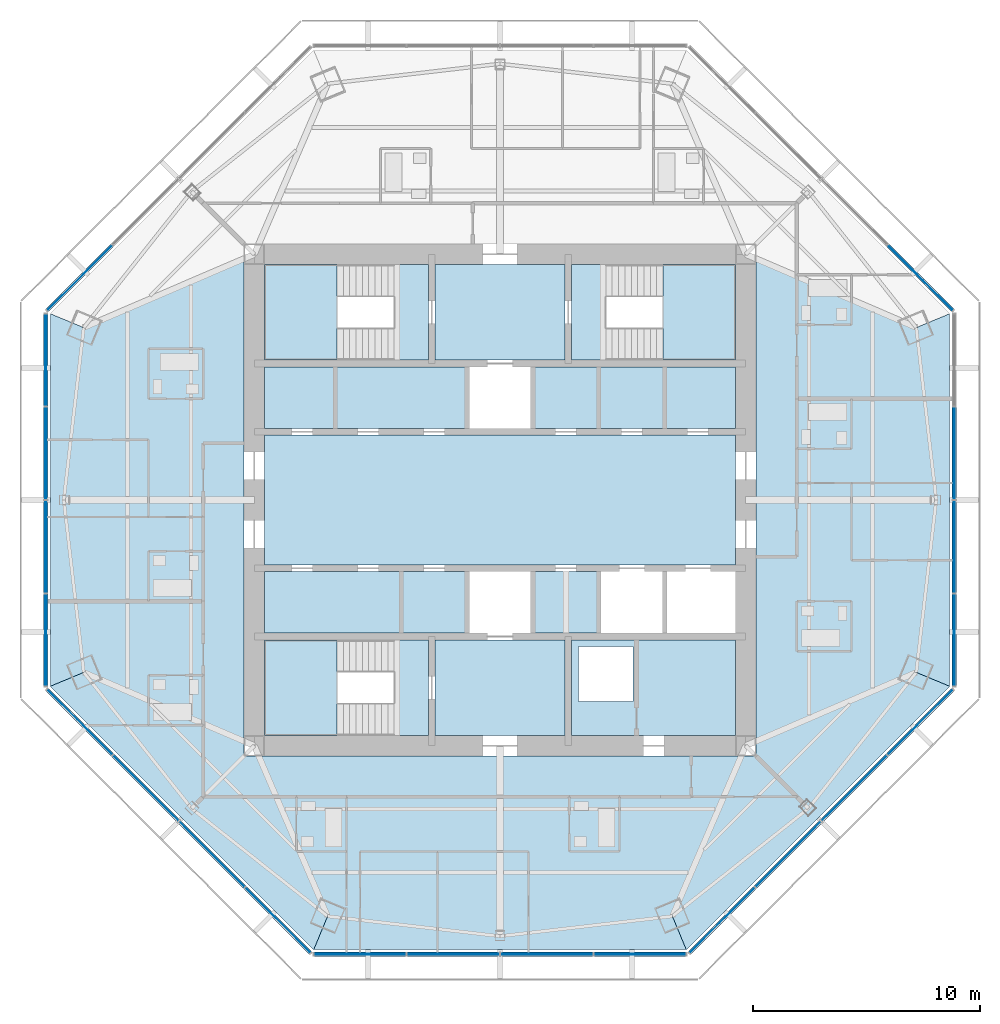
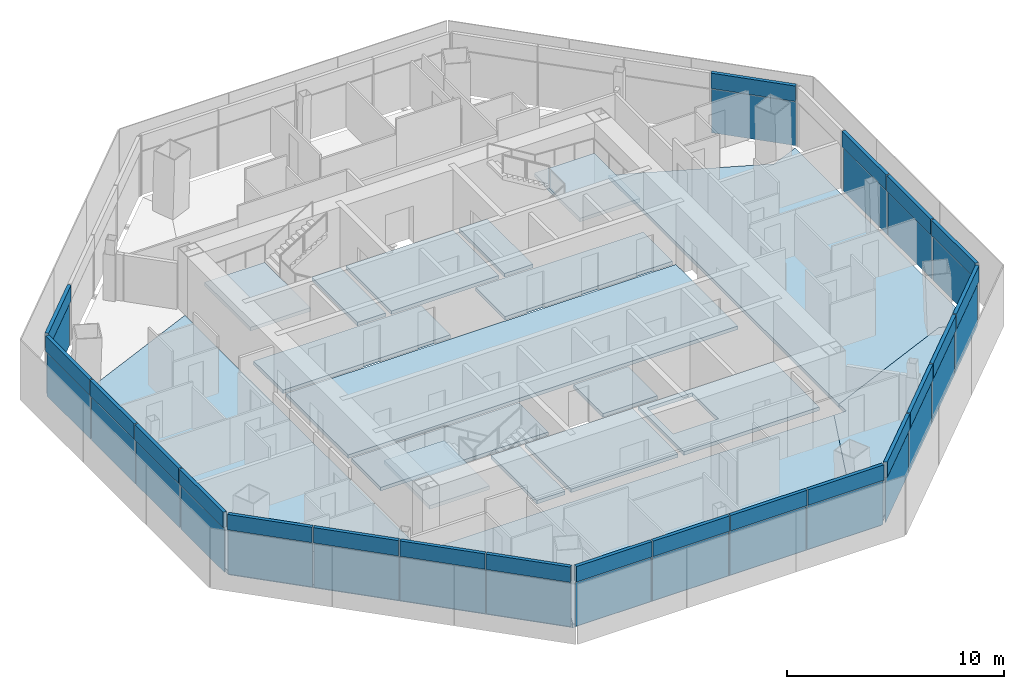
# One storey, part 7 of 14: 42 plates, 19 slabs, 10 elements without a shape of their own.
"""IFC4 building model written with IfcOpenShell, lengths in metres."""

from ifc_helpers import new_model, si_unit, direction, frame, origin, origin_2d, place, context, subcontext, project, spatial, polyline, rectangle, outline, extrude, source, transform, mapped, material, layer, layer_set, type_object, type_shapes, element, aggregate, save


model = new_model("IFC4")

# Units and contexts
model_context = context("Model", 3, precision=1e-05, world=origin(), true_north=direction((0.0, 1.0)))
body_context = subcontext(model_context, "Body", "Model", "MODEL_VIEW")
ifc_project = project(units=[si_unit("LENGTHUNIT", "METRE"), si_unit("AREAUNIT", "SQUARE_METRE"), si_unit("VOLUMEUNIT", "CUBIC_METRE"), si_unit("PLANEANGLEUNIT", "RADIAN"), si_unit("MASSUNIT", "GRAM", prefix="KILO")], contexts=[model_context])

# Site, building, storey
site_placement = place(None, origin())
site = spatial("IfcSite", under=ifc_project, at=site_placement, CompositionType="ELEMENT")
building_placement = place(site_placement, origin())
building = spatial("IfcBuilding", under=site, at=building_placement, Name="Mashrafa Tower", CompositionType="ELEMENT")
storey_placement = place(building_placement, frame((0.0, 0.0, 284.39990234375)))
storey = spatial("IfcBuildingStorey", under=building, at=storey_placement, Name="L69", CompositionType="ELEMENT", Elevation=284.39990234375)

# Slabs
ifc_material_1 = material(Name="Concrete C35/45", Category="concrete")
ifc_layer_1 = layer(ifc_material_1, 0.199951171875)
ifc_layer_set_1 = layer_set([ifc_layer_1], Name="Floor slab 200")
slab_type_1 = type_object("IfcSlabType", Name="Floor slab 200", PredefinedType="FLOOR", material=ifc_layer_set_1)
slab_1_placement = place(storey_placement, frame((0.0, 0.0, -0.199951171875)))
element("IfcSlab", 1, at=slab_1_placement, inside=storey, type_object=slab_type_1, Name="Floor slab L69 east bay", PredefinedType="FLOOR", context=body_context, shape_type="SweptSolid", body=[
    extrude(outline(polyline([(19.76953125, -8.188720703125), (18.296875, -7.578857421875), (11.25, -10.606689453125), (11.25, 10.606689453125), (18.296875, 7.578857421875), (19.76953125, 8.188720703125), (19.76953125, -8.188720703125)])), origin(), (0.0, 0.0, 1.0), 0.199951171875),
])
slab_2_placement = place(storey_placement, frame((0.0, 0.0, -0.199951171875)))
element("IfcSlab", 2, at=slab_2_placement, inside=storey, type_object=slab_type_1, Name="Floor slab L69 west bay", PredefinedType="FLOOR", context=body_context, shape_type="SweptSolid", body=[
    extrude(outline(polyline([(-19.76953125, 8.188720703125), (-18.296875, 7.578857421875), (-11.25, 10.606689453125), (-11.25, -10.606689453125), (-18.296875, -7.578857421875), (-19.76953125, -8.188720703125), (-19.76953125, 8.188720703125)])), origin(), (0.0, 0.0, 1.0), 0.199951171875),
])
slab_3_placement = place(storey_placement, frame((0.0, 0.0, -0.199951171875)))
element("IfcSlab", 3, at=slab_3_placement, inside=storey, type_object=slab_type_1, Name="Floor slab L69 south-west bay", PredefinedType="FLOOR", context=body_context, shape_type="SweptSolid", body=[
    extrude(outline(polyline([(-8.188720703125, -19.76953125), (-19.76953125, -8.188720703125), (-19.76953125, -8.188720703125), (-18.296875, -7.578857421875), (-11.25, -10.606689453125), (-11.25, -11.25), (-10.606689453125, -11.25), (-7.578857421875, -18.296875), (-8.188720703125, -19.76953125), (-8.188720703125, -19.76953125)])), origin(), (0.0, 0.0, 1.0), 0.199951171875),
])
slab_4_placement = place(storey_placement, frame((0.0, 0.0, -0.199951171875)))
element("IfcSlab", 4, at=slab_4_placement, inside=storey, type_object=slab_type_1, Name="Floor slab L69 south bay", PredefinedType="FLOOR", context=body_context, shape_type="SweptSolid", body=[
    extrude(outline(polyline([(-8.188720703125, -19.76953125), (-7.578857421875, -18.296875), (-10.606689453125, -11.25), (10.606689453125, -11.25), (7.578857421875, -18.296875), (8.188720703125, -19.76953125), (-8.188720703125, -19.76953125)])), origin(), (0.0, 0.0, 1.0), 0.199951171875),
])
slab_5_placement = place(storey_placement, frame((0.0, 0.0, -0.199951171875)))
element("IfcSlab", 5, at=slab_5_placement, inside=storey, type_object=slab_type_1, Name="Floor slab L69 south-east bay", PredefinedType="FLOOR", context=body_context, shape_type="SweptSolid", body=[
    extrude(outline(polyline([(8.188720703125, -19.76953125), (7.578857421875, -18.296875), (10.606689453125, -11.25), (11.25, -11.25), (11.25, -10.606689453125), (18.296875, -7.578857421875), (19.76953125, -8.188720703125), (19.76953125, -8.188720703125), (8.188720703125, -19.76953125), (8.188720703125, -19.76953125)])), origin(), (0.0, 0.0, 1.0), 0.199951171875),
])
slab_6_placement = place(storey_placement, frame((0.0, 0.0, -0.199951171875)))
element("IfcSlab", 6, at=slab_6_placement, inside=storey, type_object=slab_type_1, Name="Core floor lift hall L69", PredefinedType="FLOOR", context=body_context, shape_type="SweptSolid", body=[
    extrude(outline(polyline([(-10.35009765625, 2.85009765625), (10.35009765625, 2.85009765625), (10.35009765625, -2.85009765625), (-10.35009765625, -2.85009765625), (-10.35009765625, 2.85009765625)])), origin(), (0.0, 0.0, 1.0), 0.199951171875),
])
slab_7_placement = place(storey_placement, frame((0.0, 0.0, -0.199951171875)))
element("IfcSlab", 7, at=slab_7_placement, inside=storey, type_object=slab_type_1, Name="Core floor riser and electrical band L69", PredefinedType="FLOOR", context=body_context, shape_type="SweptSolid", body=[
    extrude(outline(polyline([(10.35009765625, -6.14990234375), (10.35009765625, -10.35009765625), (3.14990234375, -10.35009765625), (3.14990234375, -6.14990234375), (10.35009765625, -6.14990234375)]), holes=[polyline([(3.449951171875, -8.85009765625), (5.85009765625, -8.85009765625), (5.85009765625, -6.449951171875), (3.449951171875, -6.449951171875), (3.449951171875, -8.85009765625)])]), origin(), (0.0, 0.0, 1.0), 0.199951171875),
])
slab_8_placement = place(storey_placement, frame((0.0, 0.0, -0.199951171875)))
element("IfcSlab", 8, at=slab_8_placement, inside=storey, type_object=slab_type_1, Name="Core floor lift cell L69", PredefinedType="FLOOR", context=body_context, shape_type="SweptSolid", body=[
    extrude(outline(polyline([(10.35009765625, 5.85009765625), (10.35009765625, 3.14990234375), (1.449951171875, 3.14990234375), (1.449951171875, 5.85009765625), (10.35009765625, 5.85009765625)])), origin(), (0.0, 0.0, 1.0), 0.199951171875),
])
slab_9_placement = place(storey_placement, frame((0.0, 0.0, -0.199951171875)))
element("IfcSlab", 9, at=slab_9_placement, inside=storey, type_object=slab_type_1, Name="Core floor lift cell L69", PredefinedType="FLOOR", context=body_context, shape_type="SweptSolid", body=[
    extrude(outline(polyline([(-1.449951171875, 3.14990234375), (-10.35009765625, 3.14990234375), (-10.35009765625, 5.85009765625), (-1.449951171875, 5.85009765625), (-1.449951171875, 3.14990234375)])), origin(), (0.0, 0.0, 1.0), 0.199951171875),
])
slab_10_placement = place(storey_placement, frame((0.0, 0.0, -0.199951171875)))
element("IfcSlab", 10, at=slab_10_placement, inside=storey, type_object=slab_type_1, Name="Core floor lift cell L69", PredefinedType="FLOOR", context=body_context, shape_type="SweptSolid", body=[
    extrude(outline(polyline([(-1.449951171875, -3.14990234375), (-1.449951171875, -5.85009765625), (-10.35009765625, -5.85009765625), (-10.35009765625, -3.14990234375), (-1.449951171875, -3.14990234375)])), origin(), (0.0, 0.0, 1.0), 0.199951171875),
])
slab_11_placement = place(storey_placement, frame((0.0, 0.0, -0.199951171875)))
element("IfcSlab", 11, at=slab_11_placement, inside=storey, type_object=slab_type_1, Name="Core floor fire-fighting lobby south L69", PredefinedType="FLOOR", context=body_context, shape_type="SweptSolid", body=[
    extrude(outline(polyline([(2.85009765625, -6.14990234375), (2.85009765625, -10.35009765625), (-2.85009765625, -10.35009765625), (-2.85009765625, -6.14990234375), (2.85009765625, -6.14990234375)])), origin(), (0.0, 0.0, 1.0), 0.199951171875),
])
slab_12_placement = place(storey_placement, frame((0.0, 0.0, -0.199951171875)))
element("IfcSlab", 12, at=slab_12_placement, inside=storey, type_object=slab_type_1, Name="Core floor fire-fighting lobby north L69", PredefinedType="FLOOR", context=body_context, shape_type="SweptSolid", body=[
    extrude(outline(polyline([(-2.85009765625, 10.35009765625), (2.85009765625, 10.35009765625), (2.85009765625, 6.14990234375), (-2.85009765625, 6.14990234375), (-2.85009765625, 10.35009765625)])), origin(), (0.0, 0.0, 1.0), 0.199951171875),
])
slab_13_placement = place(storey_placement, frame((0.0, 0.0, -0.199951171875)))
element("IfcSlab", 13, at=slab_13_placement, inside=storey, type_object=slab_type_1, Name="Core floor lift cell L69", PredefinedType="FLOOR", context=body_context, shape_type="SweptSolid", body=[
    extrude(outline(polyline([(4.35009765625, -3.14990234375), (4.35009765625, -5.85009765625), (1.449951171875, -5.85009765625), (1.449951171875, -3.14990234375), (4.35009765625, -3.14990234375)])), origin(), (0.0, 0.0, 1.0), 0.199951171875),
])

# Stair, slabs
ifc_material_2 = material(Name="Exit stair 1400")
stair_type = type_object("IfcStairType", Name="Exit stair 1400", PredefinedType="HALF_TURN_STAIR", material=ifc_material_2)
stair_1_placement = place(storey_placement, origin())
stair_1 = element("IfcStair", 14, at=stair_1_placement, inside=storey, type_object=stair_type, Name="Stair S1 L69", PredefinedType="HALF_TURN_STAIR")
ifc_material_3 = material(Name="Concrete C32/40", Category="concrete")
ifc_layer_2 = layer(ifc_material_3, 0.199951171875)
ifc_layer_set_2 = layer_set([ifc_layer_2], Name="Stair landing 200")
slab_type_2 = type_object("IfcSlabType", Name="Stair landing 200", PredefinedType="LANDING", material=ifc_layer_set_2)
slab_14_placement = place(storey_placement, frame((0.0, 0.0, -0.199951171875)))
slab_14 = element("IfcSlab", 15, at=slab_14_placement, type_object=slab_type_2, Name="S1 landing 1", PredefinedType="LANDING", context=body_context, shape_type="SweptSolid", body=[
    extrude(outline(polyline([(-4.659912109375, 6.14990234375), (-3.14990234375, 6.14990234375), (-3.14990234375, 10.35009765625), (-4.659912109375, 10.35009765625), (-4.659912109375, 6.14990234375)])), origin(), (0.0, 0.0, 1.0), 0.199951171875),
])
slab_15_placement = place(storey_placement, frame((0.0, 0.0, 1.5)))
slab_15 = element("IfcSlab", 16, at=slab_15_placement, type_object=slab_type_2, Name="S1 landing 2", PredefinedType="LANDING", context=body_context, shape_type="SweptSolid", body=[
    extrude(outline(polyline([(-10.35009765625, 6.14990234375), (-7.159912109375, 6.14990234375), (-7.159912109375, 10.35009765625), (-10.35009765625, 10.35009765625), (-10.35009765625, 6.14990234375)])), origin(), (0.0, 0.0, 1.0), 0.2001953125),
])
aggregate(stair_1, [slab_14, slab_15])

stair_2_placement = place(storey_placement, origin())
stair_2 = element("IfcStair", 17, at=stair_2_placement, inside=storey, type_object=stair_type, Name="Stair S2 L69", PredefinedType="HALF_TURN_STAIR")
slab_16_placement = place(storey_placement, frame((0.0, 0.0, -0.199951171875)))
slab_16 = element("IfcSlab", 18, at=slab_16_placement, type_object=slab_type_2, Name="S2 landing 1", PredefinedType="LANDING", context=body_context, shape_type="SweptSolid", body=[
    extrude(outline(polyline([(3.14990234375, 6.14990234375), (4.659912109375, 6.14990234375), (4.659912109375, 10.35009765625), (3.14990234375, 10.35009765625), (3.14990234375, 6.14990234375)])), origin(), (0.0, 0.0, 1.0), 0.199951171875),
])
slab_17_placement = place(storey_placement, frame((0.0, 0.0, 1.5)))
slab_17 = element("IfcSlab", 19, at=slab_17_placement, type_object=slab_type_2, Name="S2 landing 2", PredefinedType="LANDING", context=body_context, shape_type="SweptSolid", body=[
    extrude(outline(polyline([(7.159912109375, 6.14990234375), (10.35009765625, 6.14990234375), (10.35009765625, 10.35009765625), (7.159912109375, 10.35009765625), (7.159912109375, 6.14990234375)])), origin(), (0.0, 0.0, 1.0), 0.2001953125),
])
aggregate(stair_2, [slab_16, slab_17])

stair_3_placement = place(storey_placement, origin())
stair_3 = element("IfcStair", 20, at=stair_3_placement, inside=storey, type_object=stair_type, Name="Stair S3 L69", PredefinedType="HALF_TURN_STAIR")
slab_18_placement = place(storey_placement, frame((0.0, 0.0, -0.199951171875)))
slab_18 = element("IfcSlab", 21, at=slab_18_placement, type_object=slab_type_2, Name="S3 landing 1", PredefinedType="LANDING", context=body_context, shape_type="SweptSolid", body=[
    extrude(outline(polyline([(-4.659912109375, -10.35009765625), (-3.14990234375, -10.35009765625), (-3.14990234375, -6.14990234375), (-4.659912109375, -6.14990234375), (-4.659912109375, -10.35009765625)])), origin(), (0.0, 0.0, 1.0), 0.199951171875),
])
slab_19_placement = place(storey_placement, frame((0.0, 0.0, 1.5)))
slab_19 = element("IfcSlab", 22, at=slab_19_placement, type_object=slab_type_2, Name="S3 landing 2", PredefinedType="LANDING", context=body_context, shape_type="SweptSolid", body=[
    extrude(outline(polyline([(-10.35009765625, -10.35009765625), (-7.159912109375, -10.35009765625), (-7.159912109375, -6.14990234375), (-10.35009765625, -6.14990234375), (-10.35009765625, -10.35009765625)])), origin(), (0.0, 0.0, 1.0), 0.2001953125),
])
aggregate(stair_3, [slab_18, slab_19])

# Curtain wall, plate
ifc_material_4 = material(Name="Unitised aluminium curtain wall", Category="aluminium")
curtain_wall_type = type_object("IfcCurtainWallType", Name="Apartment curtain wall, zone 4 CW-D 160 deep", PredefinedType="NOTDEFINED", material=ifc_material_4)
curtain_wall_1_placement = place(storey_placement, origin())
curtain_wall_1 = element("IfcCurtainWall", 23, at=curtain_wall_1_placement, inside=storey, type_object=curtain_wall_type, Name="Apartment curtain wall, zone 4 L69 east", PredefinedType="NOTDEFINED")
ifc_material_5 = material(Name="Insulated double glazing, acoustic", Category="glass")
ifc_layer_3 = layer(ifc_material_5, 0.028076171875)
ifc_layer_set_3 = layer_set([ifc_layer_3], Name="Vision panel CW-D 28")
plate_type_1 = type_object("IfcPlateType", Name="Vision panel CW-D 28", PredefinedType="CURTAIN_PANEL", material=ifc_layer_set_3)
shared_shape_1 = source(origin(), body_context, "Body", "SweptSolid", [
    extrude(rectangle(XDim=4.024169921875, YDim=0.028076171875, at=origin_2d()), origin(), (0.0, 0.0, 1.0), 2.46240234375),
])
plate_1_placement = place(storey_placement, frame((19.969482421875, -6.15625, 0.000244140625), z_axis=(0.0, 0.0, 1.0), x_axis=(0.0, 1.0, 0.0)))
plate_1 = element("IfcPlate", 24, at=plate_1_placement, type_object=plate_type_1, Name="CW-D vision panel 1", PredefinedType="CURTAIN_PANEL", context=body_context, shape_type="MappedRepresentation", body=[
    mapped(shared_shape_1, transform((0.0, 0.0, 0.0))),
])

curtain_wall_2_placement = place(storey_placement, origin())
curtain_wall_2 = element("IfcCurtainWall", 25, at=curtain_wall_2_placement, inside=storey, type_object=curtain_wall_type, Name="Apartment curtain wall, zone 4 L69 north-east", PredefinedType="NOTDEFINED")
plate_2_placement = place(storey_placement, frame((18.4736328125, 9.767333984375, 0.000244140625), z_axis=(0.0, 0.0, 1.0), x_axis=(-0.707106781187, 0.707106781187, 0.0)))
plate_2 = element("IfcPlate", 26, at=plate_2_placement, type_object=plate_type_1, Name="CW-D vision panel 1", PredefinedType="CURTAIN_PANEL", context=body_context, shape_type="MappedRepresentation", body=[
    mapped(shared_shape_1, transform((0.0, 0.0, 0.0))),
])

curtain_wall_3_placement = place(storey_placement, origin())
curtain_wall_3 = element("IfcCurtainWall", 27, at=curtain_wall_3_placement, inside=storey, type_object=curtain_wall_type, Name="Apartment curtain wall, zone 4 L69 north-west", PredefinedType="NOTDEFINED")
plate_3_placement = place(storey_placement, frame((-18.4736328125, 9.767333984375, 0.000244140625), z_axis=(0.0, 0.0, 1.0), x_axis=(-0.707106781187, -0.707106781187, 0.0)))
plate_3 = element("IfcPlate", 28, at=plate_3_placement, type_object=plate_type_1, Name="CW-D vision panel 4", PredefinedType="CURTAIN_PANEL", context=body_context, shape_type="MappedRepresentation", body=[
    mapped(shared_shape_1, transform((0.0, 0.0, 0.0))),
])

# Curtain wall, plates
curtain_wall_4_placement = place(storey_placement, origin())
curtain_wall_4 = element("IfcCurtainWall", 29, at=curtain_wall_4_placement, inside=storey, type_object=curtain_wall_type, Name="Apartment curtain wall, zone 4 L69 west", PredefinedType="NOTDEFINED")
plate_4_placement = place(storey_placement, frame((-19.969482421875, 6.15625, 0.000244140625), z_axis=(0.0, 0.0, 1.0), x_axis=(0.0, -1.0, 0.0)))
plate_4 = element("IfcPlate", 30, at=plate_4_placement, type_object=plate_type_1, Name="CW-D vision panel 1", PredefinedType="CURTAIN_PANEL", context=body_context, shape_type="MappedRepresentation", body=[
    mapped(shared_shape_1, transform((0.0, 0.0, 0.0))),
])
plate_5_placement = place(storey_placement, frame((-19.969482421875, -6.15625, 0.000244140625), z_axis=(0.0, 0.0, 1.0), x_axis=(0.0, -1.0, 0.0)))
plate_5 = element("IfcPlate", 31, at=plate_5_placement, type_object=plate_type_1, Name="CW-D vision panel 4", PredefinedType="CURTAIN_PANEL", context=body_context, shape_type="MappedRepresentation", body=[
    mapped(shared_shape_1, transform((0.0, 0.0, 0.0))),
])

curtain_wall_5_placement = place(storey_placement, origin())
curtain_wall_5 = element("IfcCurtainWall", 32, at=curtain_wall_5_placement, inside=storey, type_object=curtain_wall_type, Name="Apartment curtain wall, zone 4 L69 south-west", PredefinedType="NOTDEFINED")
plate_6_placement = place(storey_placement, frame((-18.4736328125, -9.767333984375, 0.000244140625), z_axis=(0.0, 0.0, 1.0), x_axis=(0.707106781187, -0.707106781187, 0.0)))
plate_6 = element("IfcPlate", 33, at=plate_6_placement, type_object=plate_type_1, Name="CW-D vision panel 1", PredefinedType="CURTAIN_PANEL", context=body_context, shape_type="MappedRepresentation", body=[
    mapped(shared_shape_1, transform((0.0, 0.0, 0.0))),
])
plate_7_placement = place(storey_placement, frame((-9.767333984375, -18.4736328125, 0.000244140625), z_axis=(0.0, 0.0, 1.0), x_axis=(0.707106781187, -0.707106781187, 0.0)))
plate_7 = element("IfcPlate", 34, at=plate_7_placement, type_object=plate_type_1, Name="CW-D vision panel 4", PredefinedType="CURTAIN_PANEL", context=body_context, shape_type="MappedRepresentation", body=[
    mapped(shared_shape_1, transform((0.0, 0.0, 0.0))),
])

curtain_wall_6_placement = place(storey_placement, origin())
curtain_wall_6 = element("IfcCurtainWall", 35, at=curtain_wall_6_placement, inside=storey, type_object=curtain_wall_type, Name="Apartment curtain wall, zone 4 L69 south", PredefinedType="NOTDEFINED")
plate_8_placement = place(storey_placement, frame((-6.15625, -19.969482421875, 0.000244140625), z_axis=(0.0, 0.0, 1.0), x_axis=(1.0, 0.0, 0.0)))
plate_8 = element("IfcPlate", 36, at=plate_8_placement, type_object=plate_type_1, Name="CW-D vision panel 1", PredefinedType="CURTAIN_PANEL", context=body_context, shape_type="MappedRepresentation", body=[
    mapped(shared_shape_1, transform((0.0, 0.0, 0.0))),
])
plate_9_placement = place(storey_placement, frame((6.15625, -19.969482421875, 0.000244140625), z_axis=(0.0, 0.0, 1.0), x_axis=(1.0, 0.0, 0.0)))
plate_9 = element("IfcPlate", 37, at=plate_9_placement, type_object=plate_type_1, Name="CW-D vision panel 4", PredefinedType="CURTAIN_PANEL", context=body_context, shape_type="MappedRepresentation", body=[
    mapped(shared_shape_1, transform((0.0, 0.0, 0.0))),
])

curtain_wall_7_placement = place(storey_placement, origin())
curtain_wall_7 = element("IfcCurtainWall", 38, at=curtain_wall_7_placement, inside=storey, type_object=curtain_wall_type, Name="Apartment curtain wall, zone 4 L69 south-east", PredefinedType="NOTDEFINED")
plate_10_placement = place(storey_placement, frame((9.767333984375, -18.4736328125, 0.000244140625), z_axis=(0.0, 0.0, 1.0), x_axis=(0.707106781187, 0.707106781187, 0.0)))
plate_10 = element("IfcPlate", 39, at=plate_10_placement, type_object=plate_type_1, Name="CW-D vision panel 1", PredefinedType="CURTAIN_PANEL", context=body_context, shape_type="MappedRepresentation", body=[
    mapped(shared_shape_1, transform((0.0, 0.0, 0.0))),
])
plate_11_placement = place(storey_placement, frame((18.4736328125, -9.767333984375, 0.000244140625), z_axis=(0.0, 0.0, 1.0), x_axis=(0.707106781187, 0.707106781187, 0.0)))
plate_11 = element("IfcPlate", 40, at=plate_11_placement, type_object=plate_type_1, Name="CW-D vision panel 4", PredefinedType="CURTAIN_PANEL", context=body_context, shape_type="MappedRepresentation", body=[
    mapped(shared_shape_1, transform((0.0, 0.0, 0.0))),
])

# Plate
ifc_material_6 = material(Name="Insulated bronze aluminium spandrel panel", Category="aluminium")
ifc_layer_4 = layer(ifc_material_6, 0.179931640625)
ifc_layer_set_4 = layer_set([ifc_layer_4], Name="Spandrel panel CW-D 180")
plate_type_2 = type_object("IfcPlateType", Name="Spandrel panel CW-D 180", PredefinedType="CURTAIN_PANEL", material=ifc_layer_set_4)
shared_shape_2 = source(origin(), body_context, "Body", "SweptSolid", [
    extrude(rectangle(XDim=4.024169921875, YDim=0.179931640625, at=origin_2d()), origin(), (0.0, 0.0, 1.0), 0.862548828125),
])
plate_12_placement = place(storey_placement, frame((19.969482421875, -6.15625, 2.53759765625), z_axis=(0.0, 0.0, 1.0), x_axis=(0.0, 1.0, 0.0)))
plate_12 = element("IfcPlate", 41, at=plate_12_placement, type_object=plate_type_2, Name="CW-D spandrel panel 1", PredefinedType="CURTAIN_PANEL", context=body_context, shape_type="MappedRepresentation", body=[
    mapped(shared_shape_2, transform((0.0, 0.0, 0.0))),
])

plate_13_placement = place(storey_placement, frame((18.4736328125, 9.767333984375, 2.53759765625), z_axis=(0.0, 0.0, 1.0), x_axis=(-0.707106781187, 0.707106781187, 0.0)))
plate_13 = element("IfcPlate", 42, at=plate_13_placement, type_object=plate_type_2, Name="CW-D spandrel panel 1", PredefinedType="CURTAIN_PANEL", context=body_context, shape_type="MappedRepresentation", body=[
    mapped(shared_shape_2, transform((0.0, 0.0, 0.0))),
])

aggregate(curtain_wall_2, [plate_2, plate_13])

plate_14_placement = place(storey_placement, frame((-18.4736328125, 9.767333984375, 2.53759765625), z_axis=(0.0, 0.0, 1.0), x_axis=(-0.707106781187, -0.707106781187, 0.0)))
plate_14 = element("IfcPlate", 43, at=plate_14_placement, type_object=plate_type_2, Name="CW-D spandrel panel 4", PredefinedType="CURTAIN_PANEL", context=body_context, shape_type="MappedRepresentation", body=[
    mapped(shared_shape_2, transform((0.0, 0.0, 0.0))),
])

aggregate(curtain_wall_3, [plate_3, plate_14])

plate_15_placement = place(storey_placement, frame((-19.969482421875, 6.15625, 2.53759765625), z_axis=(0.0, 0.0, 1.0), x_axis=(0.0, -1.0, 0.0)))
plate_15 = element("IfcPlate", 44, at=plate_15_placement, type_object=plate_type_2, Name="CW-D spandrel panel 1", PredefinedType="CURTAIN_PANEL", context=body_context, shape_type="MappedRepresentation", body=[
    mapped(shared_shape_2, transform((0.0, 0.0, 0.0))),
])

plate_16_placement = place(storey_placement, frame((-19.969482421875, -6.15625, 2.53759765625), z_axis=(0.0, 0.0, 1.0), x_axis=(0.0, -1.0, 0.0)))
plate_16 = element("IfcPlate", 45, at=plate_16_placement, type_object=plate_type_2, Name="CW-D spandrel panel 4", PredefinedType="CURTAIN_PANEL", context=body_context, shape_type="MappedRepresentation", body=[
    mapped(shared_shape_2, transform((0.0, 0.0, 0.0))),
])

plate_17_placement = place(storey_placement, frame((-18.4736328125, -9.767333984375, 2.53759765625), z_axis=(0.0, 0.0, 1.0), x_axis=(0.707106781187, -0.707106781187, 0.0)))
plate_17 = element("IfcPlate", 46, at=plate_17_placement, type_object=plate_type_2, Name="CW-D spandrel panel 1", PredefinedType="CURTAIN_PANEL", context=body_context, shape_type="MappedRepresentation", body=[
    mapped(shared_shape_2, transform((0.0, 0.0, 0.0))),
])

plate_18_placement = place(storey_placement, frame((-9.767333984375, -18.4736328125, 2.53759765625), z_axis=(0.0, 0.0, 1.0), x_axis=(0.707106781187, -0.707106781187, 0.0)))
plate_18 = element("IfcPlate", 47, at=plate_18_placement, type_object=plate_type_2, Name="CW-D spandrel panel 4", PredefinedType="CURTAIN_PANEL", context=body_context, shape_type="MappedRepresentation", body=[
    mapped(shared_shape_2, transform((0.0, 0.0, 0.0))),
])

plate_19_placement = place(storey_placement, frame((-6.15625, -19.969482421875, 2.53759765625), z_axis=(0.0, 0.0, 1.0), x_axis=(1.0, 0.0, 0.0)))
plate_19 = element("IfcPlate", 48, at=plate_19_placement, type_object=plate_type_2, Name="CW-D spandrel panel 1", PredefinedType="CURTAIN_PANEL", context=body_context, shape_type="MappedRepresentation", body=[
    mapped(shared_shape_2, transform((0.0, 0.0, 0.0))),
])

plate_20_placement = place(storey_placement, frame((6.15625, -19.969482421875, 2.53759765625), z_axis=(0.0, 0.0, 1.0), x_axis=(1.0, 0.0, 0.0)))
plate_20 = element("IfcPlate", 49, at=plate_20_placement, type_object=plate_type_2, Name="CW-D spandrel panel 4", PredefinedType="CURTAIN_PANEL", context=body_context, shape_type="MappedRepresentation", body=[
    mapped(shared_shape_2, transform((0.0, 0.0, 0.0))),
])

plate_21_placement = place(storey_placement, frame((9.767333984375, -18.4736328125, 2.53759765625), z_axis=(0.0, 0.0, 1.0), x_axis=(0.707106781187, 0.707106781187, 0.0)))
plate_21 = element("IfcPlate", 50, at=plate_21_placement, type_object=plate_type_2, Name="CW-D spandrel panel 1", PredefinedType="CURTAIN_PANEL", context=body_context, shape_type="MappedRepresentation", body=[
    mapped(shared_shape_2, transform((0.0, 0.0, 0.0))),
])

plate_22_placement = place(storey_placement, frame((18.4736328125, -9.767333984375, 2.53759765625), z_axis=(0.0, 0.0, 1.0), x_axis=(0.707106781187, 0.707106781187, 0.0)))
plate_22 = element("IfcPlate", 51, at=plate_22_placement, type_object=plate_type_2, Name="CW-D spandrel panel 4", PredefinedType="CURTAIN_PANEL", context=body_context, shape_type="MappedRepresentation", body=[
    mapped(shared_shape_2, transform((0.0, 0.0, 0.0))),
])

shared_shape_3 = source(origin(), body_context, "Body", "SweptSolid", [
    extrude(rectangle(XDim=4.05419921875, YDim=0.028076171875, at=origin_2d()), origin(), (0.0, 0.0, 1.0), 2.46240234375),
])
type_shapes(plate_type_1, [shared_shape_1, shared_shape_3])
plate_23_placement = place(storey_placement, frame((19.969482421875, -2.05712890625, 0.000244140625), z_axis=(0.0, 0.0, 1.0), x_axis=(0.0, 1.0, 0.0)))
plate_23 = element("IfcPlate", 52, at=plate_23_placement, type_object=plate_type_1, Name="CW-D vision panel 2", PredefinedType="CURTAIN_PANEL", context=body_context, shape_type="MappedRepresentation", body=[
    mapped(shared_shape_3, transform((0.0, 0.0, 0.0))),
])

plate_24_placement = place(storey_placement, frame((19.969482421875, 2.05712890625, 0.000244140625), z_axis=(0.0, 0.0, 1.0), x_axis=(0.0, 1.0, 0.0)))
plate_24 = element("IfcPlate", 53, at=plate_24_placement, type_object=plate_type_1, Name="CW-D vision panel 3", PredefinedType="CURTAIN_PANEL", context=body_context, shape_type="MappedRepresentation", body=[
    mapped(shared_shape_3, transform((0.0, 0.0, 0.0))),
])

plate_25_placement = place(storey_placement, frame((-19.969482421875, 2.05712890625, 0.000244140625), z_axis=(0.0, 0.0, 1.0), x_axis=(0.0, -1.0, 0.0)))
plate_25 = element("IfcPlate", 54, at=plate_25_placement, type_object=plate_type_1, Name="CW-D vision panel 2", PredefinedType="CURTAIN_PANEL", context=body_context, shape_type="MappedRepresentation", body=[
    mapped(shared_shape_3, transform((0.0, 0.0, 0.0))),
])

plate_26_placement = place(storey_placement, frame((-19.969482421875, -2.05712890625, 0.000244140625), z_axis=(0.0, 0.0, 1.0), x_axis=(0.0, -1.0, 0.0)))
plate_26 = element("IfcPlate", 55, at=plate_26_placement, type_object=plate_type_1, Name="CW-D vision panel 3", PredefinedType="CURTAIN_PANEL", context=body_context, shape_type="MappedRepresentation", body=[
    mapped(shared_shape_3, transform((0.0, 0.0, 0.0))),
])

plate_27_placement = place(storey_placement, frame((-15.5751953125, -12.666015625, 0.000244140625), z_axis=(0.0, 0.0, 1.0), x_axis=(0.707106781187, -0.707106781187, 0.0)))
plate_27 = element("IfcPlate", 56, at=plate_27_placement, type_object=plate_type_1, Name="CW-D vision panel 2", PredefinedType="CURTAIN_PANEL", context=body_context, shape_type="MappedRepresentation", body=[
    mapped(shared_shape_3, transform((0.0, 0.0, 0.0))),
])

plate_28_placement = place(storey_placement, frame((-12.666015625, -15.5751953125, 0.000244140625), z_axis=(0.0, 0.0, 1.0), x_axis=(0.707106781187, -0.707106781187, 0.0)))
plate_28 = element("IfcPlate", 57, at=plate_28_placement, type_object=plate_type_1, Name="CW-D vision panel 3", PredefinedType="CURTAIN_PANEL", context=body_context, shape_type="MappedRepresentation", body=[
    mapped(shared_shape_3, transform((0.0, 0.0, 0.0))),
])

plate_29_placement = place(storey_placement, frame((-2.05712890625, -19.969482421875, 0.000244140625), z_axis=(0.0, 0.0, 1.0), x_axis=(1.0, 0.0, 0.0)))
plate_29 = element("IfcPlate", 58, at=plate_29_placement, type_object=plate_type_1, Name="CW-D vision panel 2", PredefinedType="CURTAIN_PANEL", context=body_context, shape_type="MappedRepresentation", body=[
    mapped(shared_shape_3, transform((0.0, 0.0, 0.0))),
])

plate_30_placement = place(storey_placement, frame((2.05712890625, -19.969482421875, 0.000244140625), z_axis=(0.0, 0.0, 1.0), x_axis=(1.0, 0.0, 0.0)))
plate_30 = element("IfcPlate", 59, at=plate_30_placement, type_object=plate_type_1, Name="CW-D vision panel 3", PredefinedType="CURTAIN_PANEL", context=body_context, shape_type="MappedRepresentation", body=[
    mapped(shared_shape_3, transform((0.0, 0.0, 0.0))),
])

plate_31_placement = place(storey_placement, frame((12.666015625, -15.5751953125, 0.000244140625), z_axis=(0.0, 0.0, 1.0), x_axis=(0.707106781187, 0.707106781187, 0.0)))
plate_31 = element("IfcPlate", 60, at=plate_31_placement, type_object=plate_type_1, Name="CW-D vision panel 2", PredefinedType="CURTAIN_PANEL", context=body_context, shape_type="MappedRepresentation", body=[
    mapped(shared_shape_3, transform((0.0, 0.0, 0.0))),
])

plate_32_placement = place(storey_placement, frame((15.5751953125, -12.666015625, 0.000244140625), z_axis=(0.0, 0.0, 1.0), x_axis=(0.707106781187, 0.707106781187, 0.0)))
plate_32 = element("IfcPlate", 61, at=plate_32_placement, type_object=plate_type_1, Name="CW-D vision panel 3", PredefinedType="CURTAIN_PANEL", context=body_context, shape_type="MappedRepresentation", body=[
    mapped(shared_shape_3, transform((0.0, 0.0, 0.0))),
])

shared_shape_4 = source(origin(), body_context, "Body", "SweptSolid", [
    extrude(rectangle(XDim=4.05419921875, YDim=0.179931640625, at=origin_2d()), origin(), (0.0, 0.0, 1.0), 0.862548828125),
])
type_shapes(plate_type_2, [shared_shape_2, shared_shape_4])
plate_33_placement = place(storey_placement, frame((19.969482421875, -2.05712890625, 2.53759765625), z_axis=(0.0, 0.0, 1.0), x_axis=(0.0, 1.0, 0.0)))
plate_33 = element("IfcPlate", 62, at=plate_33_placement, type_object=plate_type_2, Name="CW-D spandrel panel 2", PredefinedType="CURTAIN_PANEL", context=body_context, shape_type="MappedRepresentation", body=[
    mapped(shared_shape_4, transform((0.0, 0.0, 0.0))),
])

plate_34_placement = place(storey_placement, frame((19.969482421875, 2.05712890625, 2.53759765625), z_axis=(0.0, 0.0, 1.0), x_axis=(0.0, 1.0, 0.0)))
plate_34 = element("IfcPlate", 63, at=plate_34_placement, type_object=plate_type_2, Name="CW-D spandrel panel 3", PredefinedType="CURTAIN_PANEL", context=body_context, shape_type="MappedRepresentation", body=[
    mapped(shared_shape_4, transform((0.0, 0.0, 0.0))),
])

aggregate(curtain_wall_1, [plate_1, plate_12, plate_23, plate_33, plate_24, plate_34])

plate_35_placement = place(storey_placement, frame((-19.969482421875, 2.05712890625, 2.53759765625), z_axis=(0.0, 0.0, 1.0), x_axis=(0.0, -1.0, 0.0)))
plate_35 = element("IfcPlate", 64, at=plate_35_placement, type_object=plate_type_2, Name="CW-D spandrel panel 2", PredefinedType="CURTAIN_PANEL", context=body_context, shape_type="MappedRepresentation", body=[
    mapped(shared_shape_4, transform((0.0, 0.0, 0.0))),
])

plate_36_placement = place(storey_placement, frame((-19.969482421875, -2.05712890625, 2.53759765625), z_axis=(0.0, 0.0, 1.0), x_axis=(0.0, -1.0, 0.0)))
plate_36 = element("IfcPlate", 65, at=plate_36_placement, type_object=plate_type_2, Name="CW-D spandrel panel 3", PredefinedType="CURTAIN_PANEL", context=body_context, shape_type="MappedRepresentation", body=[
    mapped(shared_shape_4, transform((0.0, 0.0, 0.0))),
])

aggregate(curtain_wall_4, [plate_4, plate_15, plate_25, plate_35, plate_26, plate_36, plate_5, plate_16])

plate_37_placement = place(storey_placement, frame((-15.5751953125, -12.666015625, 2.53759765625), z_axis=(0.0, 0.0, 1.0), x_axis=(0.707106781187, -0.707106781187, 0.0)))
plate_37 = element("IfcPlate", 66, at=plate_37_placement, type_object=plate_type_2, Name="CW-D spandrel panel 2", PredefinedType="CURTAIN_PANEL", context=body_context, shape_type="MappedRepresentation", body=[
    mapped(shared_shape_4, transform((0.0, 0.0, 0.0))),
])

plate_38_placement = place(storey_placement, frame((-12.666015625, -15.5751953125, 2.53759765625), z_axis=(0.0, 0.0, 1.0), x_axis=(0.707106781187, -0.707106781187, 0.0)))
plate_38 = element("IfcPlate", 67, at=plate_38_placement, type_object=plate_type_2, Name="CW-D spandrel panel 3", PredefinedType="CURTAIN_PANEL", context=body_context, shape_type="MappedRepresentation", body=[
    mapped(shared_shape_4, transform((0.0, 0.0, 0.0))),
])

aggregate(curtain_wall_5, [plate_6, plate_17, plate_27, plate_37, plate_28, plate_38, plate_7, plate_18])

plate_39_placement = place(storey_placement, frame((-2.05712890625, -19.969482421875, 2.53759765625), z_axis=(0.0, 0.0, 1.0), x_axis=(1.0, 0.0, 0.0)))
plate_39 = element("IfcPlate", 68, at=plate_39_placement, type_object=plate_type_2, Name="CW-D spandrel panel 2", PredefinedType="CURTAIN_PANEL", context=body_context, shape_type="MappedRepresentation", body=[
    mapped(shared_shape_4, transform((0.0, 0.0, 0.0))),
])

plate_40_placement = place(storey_placement, frame((2.05712890625, -19.969482421875, 2.53759765625), z_axis=(0.0, 0.0, 1.0), x_axis=(1.0, 0.0, 0.0)))
plate_40 = element("IfcPlate", 69, at=plate_40_placement, type_object=plate_type_2, Name="CW-D spandrel panel 3", PredefinedType="CURTAIN_PANEL", context=body_context, shape_type="MappedRepresentation", body=[
    mapped(shared_shape_4, transform((0.0, 0.0, 0.0))),
])

aggregate(curtain_wall_6, [plate_8, plate_19, plate_29, plate_39, plate_30, plate_40, plate_9, plate_20])

plate_41_placement = place(storey_placement, frame((12.666015625, -15.5751953125, 2.53759765625), z_axis=(0.0, 0.0, 1.0), x_axis=(0.707106781187, 0.707106781187, 0.0)))
plate_41 = element("IfcPlate", 70, at=plate_41_placement, type_object=plate_type_2, Name="CW-D spandrel panel 2", PredefinedType="CURTAIN_PANEL", context=body_context, shape_type="MappedRepresentation", body=[
    mapped(shared_shape_4, transform((0.0, 0.0, 0.0))),
])

plate_42_placement = place(storey_placement, frame((15.5751953125, -12.666015625, 2.53759765625), z_axis=(0.0, 0.0, 1.0), x_axis=(0.707106781187, 0.707106781187, 0.0)))
plate_42 = element("IfcPlate", 71, at=plate_42_placement, type_object=plate_type_2, Name="CW-D spandrel panel 3", PredefinedType="CURTAIN_PANEL", context=body_context, shape_type="MappedRepresentation", body=[
    mapped(shared_shape_4, transform((0.0, 0.0, 0.0))),
])

aggregate(curtain_wall_7, [plate_10, plate_21, plate_31, plate_41, plate_32, plate_42, plate_11, plate_22])

save(model, "model.ifc")
